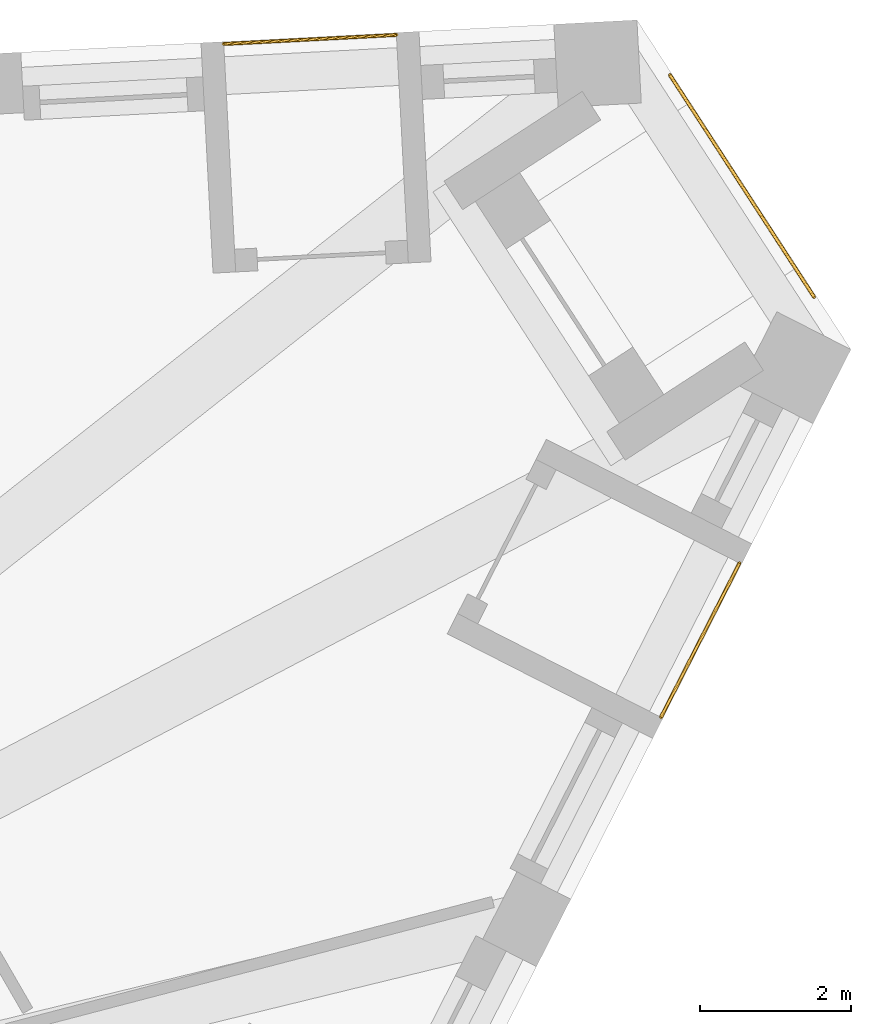
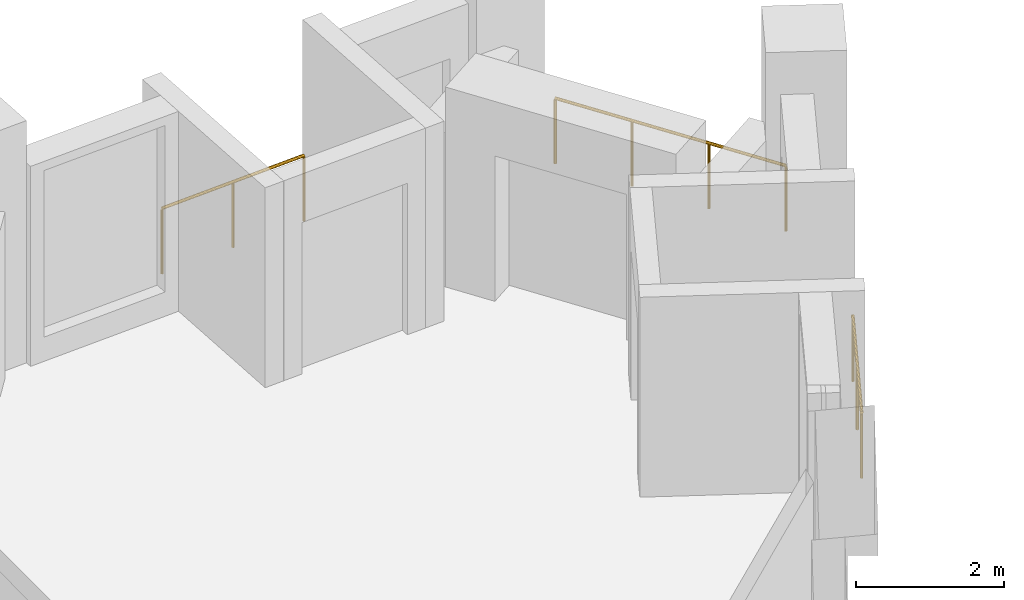
# One storey, part 12 of 12: 3 railings.
"""IFC4 building model written with IfcOpenShell, lengths in metres."""

import ifcopenshell
import ifcopenshell.guid

model = None  # the IFC model being written
_history = None  # IfcOwnerHistory: only IFC2X3 demands one
_inside = {}  # id of a spatial element -> (the spatial element, [elements in it])
_under = {}  # id of a project, library or spatial element -> (it, [spatial elements below it])
_declared = {}  # id of a project -> (the project, [libraries it declares])
_typed = {}  # id of a type object -> (the type object, [elements of that type])
_made_of = {}  # id of a material, layer set ... -> (it, [elements and type objects made of it])


def new_model(schema):
    """Start an empty IFC model of exactly this schema.

    Asked for "IFC4X3", IfcOpenShell would pick the latest addendum, in which some entities
    have other attributes; the version numbers below select the first issue.
    IFC2X3 requires an IfcOwnerHistory on every rooted entity: one is made here for all.
    """
    global model, _history
    if schema == "IFC4X3":
        model = ifcopenshell.file(schema_version=(4, 3, 0, 0))
    else:
        model = ifcopenshell.file(schema=schema)
    _inside.clear()
    _under.clear()
    _declared.clear()
    _typed.clear()
    _made_of.clear()
    _history = None
    if model.schema == "IFC2X3":
        org = make("IfcOrganization", Name="unknown")
        user = make(
            "IfcPersonAndOrganization",
            ThePerson=make("IfcPerson", FamilyName="unknown"),
            TheOrganization=org,
        )
        app = make(
            "IfcApplication",
            ApplicationDeveloper=org,
            Version="unknown",
            ApplicationFullName="unknown",
            ApplicationIdentifier="unknown",
        )
        _history = make(
            "IfcOwnerHistory",
            OwningUser=user,
            OwningApplication=app,
            ChangeAction="ADDED",
            CreationDate=0,
        )
    return model


def make(cls, **values):
    """One entity of the class cls with the attributes given. An attribute that is None is left unset."""
    return model.create_entity(
        cls, **{name: value for name, value in values.items() if value is not None}
    )


def rooted(cls, **values):
    """An entity with a GlobalId (a new one), such as an element, a storey or a relation."""
    return make(cls, GlobalId=ifcopenshell.guid.new(), OwnerHistory=_history, **values)


def si_unit(unit_type, name, prefix=None):
    """IfcSIUnit, for example si_unit("LENGTHUNIT", "METRE", prefix="MILLI")."""
    return make("IfcSIUnit", UnitType=unit_type, Prefix=prefix, Name=name)


def assignment(units):
    """IfcUnitAssignment: the units of a project."""
    return None if units is None else make("IfcUnitAssignment", Units=units)


def point(xyz):
    """IfcCartesianPoint."""
    return None if xyz is None else make("IfcCartesianPoint", Coordinates=xyz)


def direction(xyz):
    """IfcDirection."""
    return None if xyz is None else make("IfcDirection", DirectionRatios=xyz)


def frame(location, z_axis=None, x_axis=None):
    """IfcAxis2Placement3D, a coordinate frame: its origin and axes. An axis left out is left unset."""
    return make(
        "IfcAxis2Placement3D",
        Location=point(location),
        Axis=direction(z_axis),
        RefDirection=direction(x_axis),
    )


def frame_2d(location, x_axis=None):
    """IfcAxis2Placement2D, a coordinate frame in the plane: its origin and x axis."""
    return make(
        "IfcAxis2Placement2D", Location=point(location), RefDirection=direction(x_axis)
    )


def origin():
    """The frame at (0, 0, 0) with its axes left unset."""
    return frame((0.0, 0.0, 0.0))


def origin_2d():
    """The frame at (0, 0) in the plane with its x axis left unset."""
    return frame_2d((0.0, 0.0))


def place(relative_to, where):
    """IfcLocalPlacement: puts the frame where relative to a parent placement (None: the world)."""
    return make(
        "IfcLocalPlacement", PlacementRelTo=relative_to, RelativePlacement=where
    )


def context(
    kind, dimensions, precision=None, world=None, true_north=None, identifier=None
):
    """IfcGeometricRepresentationContext, for example the 3D "Model" context."""
    return make(
        "IfcGeometricRepresentationContext",
        ContextIdentifier=identifier,
        ContextType=kind,
        CoordinateSpaceDimension=dimensions,
        Precision=precision,
        WorldCoordinateSystem=world,
        TrueNorth=true_north,
    )


def subcontext(parent, identifier, kind, view, scale=None):
    """IfcGeometricRepresentationSubContext, for example "Body" below "Model"."""
    return make(
        "IfcGeometricRepresentationSubContext",
        ContextIdentifier=identifier,
        ContextType=kind,
        ParentContext=parent,
        TargetScale=scale,
        TargetView=view,
    )


def project(units=None, contexts=None):
    """IfcProject with its units and contexts."""
    return rooted(
        "IfcProject",
        Name="project",
        RepresentationContexts=contexts,
        UnitsInContext=assignment(units),
    )


def spatial(cls, under=None, at=None, **own):
    """A site, building, storey or space (cls), placed at a placement, below another one or the project."""
    s = rooted(cls, ObjectPlacement=at, **own)
    if under is not None:
        _under.setdefault(under.id(), (under, []))[1].append(s)
    return s


def profile(cls, at=None, kind="AREA", **sizes):
    """A parametric profile (cls). Its sizes go by their IFC names, for example OverallWidth=200.0."""
    return make(cls, ProfileType=kind, Position=at, **sizes)


def circle(**sizes):
    """IfcCircleProfileDef."""
    return profile("IfcCircleProfileDef", **sizes)


def extrude(swept, where, along, depth):
    """IfcExtrudedAreaSolid: the profile swept, set in the frame where, extruded along a direction by depth."""
    return make(
        "IfcExtrudedAreaSolid",
        SweptArea=swept,
        Position=where,
        ExtrudedDirection=direction(along),
        Depth=depth,
    )


def shape(context_of_items, identifier, shape_type, items):
    """IfcShapeRepresentation: the items that make up one representation, for example the "Body"."""
    return make(
        "IfcShapeRepresentation",
        ContextOfItems=context_of_items,
        RepresentationIdentifier=identifier,
        RepresentationType=shape_type,
        Items=items,
    )


def material(Name=None, Category=None):
    """IfcMaterial."""
    return make("IfcMaterial", Name=Name, Category=Category)


def made_of(thing, what):
    """Note that an element or type object is made of a material, layer set ...; save() writes the relation."""
    if what is not None:
        _made_of.setdefault(what.id(), (what, []))[1].append(thing)
    return thing


def type_object(cls, material=None, **own):
    """A type object (cls), such as IfcWallType, which elements share."""
    return made_of(rooted(cls, **own), material)


def element(
    cls,
    number,
    at=None,
    inside=None,
    cuts=None,
    type_object=None,
    material=None,
    context=None,
    identifier="Body",
    shape_type=None,
    held_by="IfcProductDefinitionShape",
    body=None,
    shapes=None,
    **own,
):
    """One element of the class cls, such as IfcWall. Its Tag is "e" and its number.

    at: its placement. inside: the storey or other place that contains it. cuts: it is an
    opening in that element (IfcRelVoidsElement). A single representation is given by context,
    identifier, shape_type and body (its items); several are given by shapes. held_by: the class
    of the entity that holds the representations. save() writes the other relations.
    """
    e = rooted(cls, Tag="e%d" % number, ObjectPlacement=at, **own)
    if body is not None:
        shapes = [shape(context, identifier, shape_type, body)]
    if shapes is not None:
        e.Representation = make(held_by, Representations=shapes)
    if inside is not None:
        _inside.setdefault(inside.id(), (inside, []))[1].append(e)
    if cuts is not None:
        rooted(
            "IfcRelVoidsElement", RelatingBuildingElement=cuts, RelatedOpeningElement=e
        )
    if type_object is not None:
        _typed.setdefault(type_object.id(), (type_object, []))[1].append(e)
    return made_of(e, material)


def aggregate(whole, parts):
    """IfcRelAggregates: a whole, such as a stair, and the parts it consists of."""
    return rooted("IfcRelAggregates", RelatingObject=whole, RelatedObjects=parts)


def save(model, path):
    """Write the relations noted so far, then the file.

    IfcRelAggregates (storeys below a building ...), IfcRelContainedInSpatialStructure (elements
    in a storey), IfcRelDefinesByType, IfcRelAssociatesMaterial and IfcRelDeclares: one each for
    every whole, place, type object, material and project.
    """
    for whole, parts in _under.values():
        aggregate(whole, parts)
    for where, things in _inside.values():
        rooted(
            "IfcRelContainedInSpatialStructure",
            RelatedElements=things,
            RelatingStructure=where,
        )
    for kind, things in _typed.values():
        rooted("IfcRelDefinesByType", RelatedObjects=things, RelatingType=kind)
    for what, things in _made_of.values():
        rooted("IfcRelAssociatesMaterial", RelatedObjects=things, RelatingMaterial=what)
    for by, libraries in _declared.values():
        rooted("IfcRelDeclares", RelatingContext=by, RelatedDefinitions=libraries)
    model.write(path)


model = new_model("IFC4")

# Units and contexts
model_context = context("Model", 3, precision=1e-05, world=origin(), true_north=direction((0.0, 1.0)))
body_context = subcontext(model_context, "Body", "Model", "MODEL_VIEW")
ifc_project = project(units=[si_unit("LENGTHUNIT", "METRE"), si_unit("AREAUNIT", "SQUARE_METRE"), si_unit("VOLUMEUNIT", "CUBIC_METRE"), si_unit("PLANEANGLEUNIT", "RADIAN"), si_unit("MASSUNIT", "GRAM", prefix="KILO")], contexts=[model_context])

# Site, building, storey
site_placement = place(None, origin())
site = spatial("IfcSite", under=ifc_project, at=site_placement, CompositionType="ELEMENT")
building_placement = place(site_placement, origin())
building = spatial("IfcBuilding", under=site, at=building_placement, Name="Tramontana Tower", CompositionType="ELEMENT")
storey_placement = place(building_placement, frame((0.0, 0.0, 278.39990234375)))
storey = spatial("IfcBuildingStorey", under=building, at=storey_placement, Name="L65", CompositionType="ELEMENT", Elevation=278.39990234375)

# Railings
ifc_material = material(Name="Laminated glass balustrade", Category="glass")
railing_type = type_object("IfcRailingType", Name="GD1 Loggia glass balustrade 1100", PredefinedType="BALUSTRADE", material=ifc_material)
railing_1_placement = place(storey_placement, frame((21.128173828125, 7.390625, 0.0)))
element("IfcRailing", 1, at=railing_1_placement, inside=storey, type_object=railing_type, Name="Loggia balustrade L65 G7S1.13", PredefinedType="BALUSTRADE", context=body_context, shape_type="SweptSolid", body=[
    extrude(circle(Radius=0.02392578125, at=origin_2d()), frame((0.0, 0.0, 1.076171875), z_axis=(0.453948171533, 0.89102809022, 0.0), x_axis=(-0.89102809022, 0.453948171533, 0.0)), (0.0, 0.0, 1.0), 2.286865234375),
    extrude(circle(Radius=0.02099609375, at=origin_2d()), origin(), (0.0, 0.0, 1.0), 1.052001953125),
    extrude(circle(Radius=0.02099609375, at=origin_2d()), frame((0.51904296875, 1.018798828125, 0.0)), (0.0, 0.0, 1.0), 1.052001953125),
    extrude(circle(Radius=0.02099609375, at=origin_2d()), frame((1.0380859375, 2.03759765625, 0.0)), (0.0, 0.0, 1.0), 1.052001953125),
])
railing_2_placement = place(storey_placement, frame((17.62890625, 16.4150390625, 0.0)))
element("IfcRailing", 2, at=railing_2_placement, inside=storey, type_object=railing_type, Name="Loggia balustrade L65 G7S2.1", PredefinedType="BALUSTRADE", context=body_context, shape_type="SweptSolid", body=[
    extrude(circle(Radius=0.02392578125, at=origin_2d()), frame((0.0, 0.0, 1.076171875), z_axis=(-0.998630775221, -0.052312281362, 0.0), x_axis=(0.052312281362, -0.998630775221, 0.0)), (0.0, 0.0, 1.0), 2.286865234375),
    extrude(circle(Radius=0.02099609375, at=origin_2d()), origin(), (0.0, 0.0, 1.0), 1.052001953125),
    extrude(circle(Radius=0.02099609375, at=origin_2d()), frame((-1.141845703125, -0.059814453125, 0.0)), (0.0, 0.0, 1.0), 1.052001953125),
    extrude(circle(Radius=0.02099609375, at=origin_2d()), frame((-2.28369140625, -0.11962890625, 0.0)), (0.0, 0.0, 1.0), 1.052001953125),
])
railing_3_placement = place(storey_placement, frame((21.24658203125, 15.88427734375, 0.0)))
element("IfcRailing", 3, at=railing_3_placement, inside=storey, type_object=railing_type, Name="Corner loggia balustrade L65 K72", PredefinedType="BALUSTRADE", context=body_context, shape_type="SweptSolid", body=[
    extrude(circle(Radius=0.02392578125, at=origin_2d()), frame((0.0, 0.0, 1.076171875), z_axis=(0.544647498784, -0.838665071449, 0.0), x_axis=(0.838665071449, 0.544647498784, 0.0)), (0.0, 0.0, 1.0), 3.5),
    extrude(circle(Radius=0.02099609375, at=origin_2d()), origin(), (0.0, 0.0, 1.0), 1.052001953125),
    extrude(circle(Radius=0.02099609375, at=origin_2d()), frame((0.635498046875, -0.978515625, 0.0)), (0.0, 0.0, 1.0), 1.052001953125),
    extrude(circle(Radius=0.02099609375, at=origin_2d()), frame((1.270751953125, -1.956787109375, 0.0)), (0.0, 0.0, 1.0), 1.052001953125),
    extrude(circle(Radius=0.02099609375, at=origin_2d()), frame((1.90625, -2.935302734375, 0.0)), (0.0, 0.0, 1.0), 1.052001953125),
])

save(model, "model.ifc")
